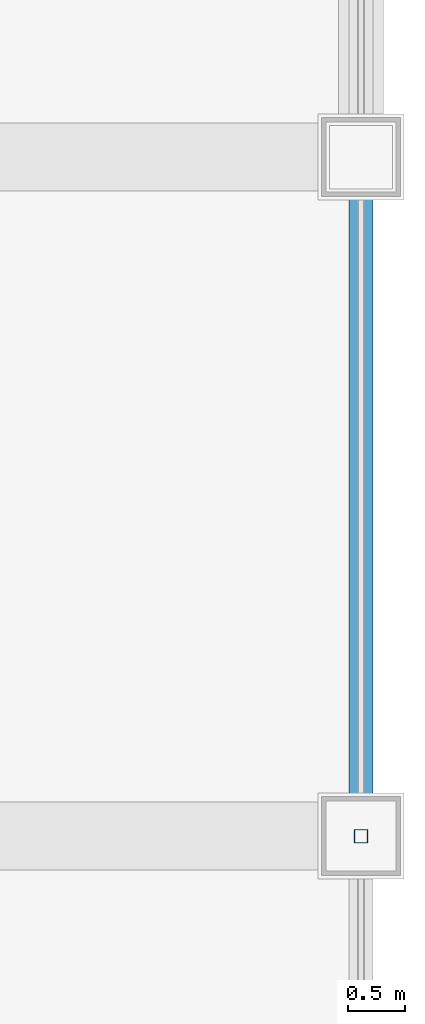
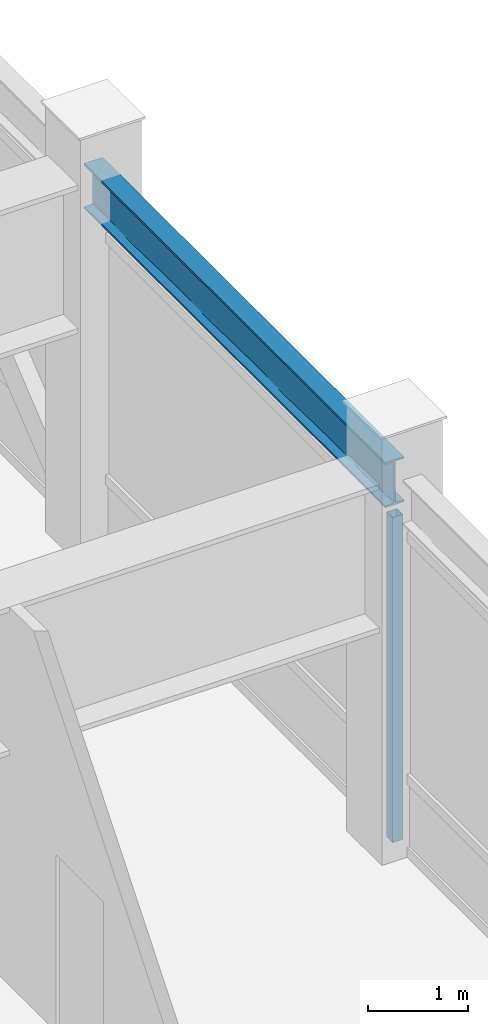
# One storey, part 12 of 29: 1 beam, 1 member, 1 element without a shape of its own.
"""IFC4 building model written with IfcOpenShell, lengths in metres."""

from ifc_helpers import new_model, si_unit, direction, frame, origin, origin_2d, place, context, subcontext, project, spatial, hollow_rectangle, i_section, extrude, source, transform, mapped, material, material_profile, profile_set, type_object, element, aggregate, save


model = new_model("IFC4")

# Units and contexts
model_context = context("Model", 3, precision=1e-05, world=origin(), true_north=direction((0.0, 1.0)))
body_context = subcontext(model_context, "Body", "Model", "MODEL_VIEW")
ifc_project = project(units=[si_unit("LENGTHUNIT", "METRE"), si_unit("AREAUNIT", "SQUARE_METRE"), si_unit("VOLUMEUNIT", "CUBIC_METRE"), si_unit("PLANEANGLEUNIT", "RADIAN"), si_unit("MASSUNIT", "GRAM", prefix="KILO")], contexts=[model_context])

# Site, building, storey
site_placement = place(None, origin())
site = spatial("IfcSite", under=ifc_project, at=site_placement, CompositionType="ELEMENT")
building_placement = place(site_placement, origin())
building = spatial("IfcBuilding", under=site, at=building_placement, Name="Khorayat Bourse Tower", CompositionType="ELEMENT")
storey_placement = place(building_placement, frame((0.0, 0.0, 370.300048828125)))
storey = spatial("IfcBuildingStorey", under=building, at=storey_placement, Name="L88", CompositionType="ELEMENT", Elevation=370.300048828125)

# Beam
ifc_material_1 = material(Name="Steel ASTM A992 Grade 50", Category="steel")
ifc_material_profile_1 = material_profile(ifc_material_1, i_section(OverallWidth=0.214111328125, OverallDepth=0.549072265625, WebThickness=0.0146484375, FlangeThickness=0.023681640625, FilletRadius=0.013916015625, at=origin_2d()), Name="W530X138")
ifc_profile_set_1 = profile_set([ifc_material_profile_1], Name="Steel ASTM A992 Grade 50")
beam_type = type_object("IfcBeamType", Name="BM-SPAN-530", PredefinedType="SPANDREL", material=ifc_profile_set_1)
shared_shape_1 = source(origin(), body_context, "Body", "SweptSolid", [
    extrude(i_section(OverallWidth=0.214111328125, OverallDepth=0.549072265625, WebThickness=0.0146484375, FlangeThickness=0.023681640625, FilletRadius=0.013916015625, at=origin_2d()), origin(), (0.0, 0.0, 1.0), 6.0),
])
beam_placement = place(storey_placement, frame((26.0, 0.0, 4.325439453125), z_axis=(0.0, 1.0, 0.0), x_axis=(-1.0, 0.0, 0.0)))
element("IfcBeam", 1, at=beam_placement, inside=storey, type_object=beam_type, Name="L88 BM-SPAN-530 BM-L88-SPN-035", PredefinedType="SPANDREL", context=body_context, shape_type="MappedRepresentation", body=[
    mapped(shared_shape_1, transform((0.0, 0.0, 0.0), scale=1.0)),
])

# Curtain wall, member
ifc_material_2 = material(Name="Aluminium EN AW-6063 T6", Category="aluminium")
curtain_wall_type = type_object("IfcCurtainWallType", Name="CW-SYS-04", PredefinedType="NOTDEFINED", material=ifc_material_2)
curtain_wall_placement = place(storey_placement, origin())
curtain_wall = element("IfcCurtainWall", 2, at=curtain_wall_placement, inside=storey, type_object=curtain_wall_type, Name="L88 Curtain Wall CW-L88-E1", PredefinedType="NOTDEFINED")
ifc_material_profile_2 = material_profile(ifc_material_2, hollow_rectangle(XDim=0.1201171875, YDim=0.1201171875, WallThickness=0.0048828125, at=origin_2d()), Name="ALU 120x120x5")
ifc_profile_set_2 = profile_set([ifc_material_profile_2], Name="Aluminium EN AW-6063 T6")
member_type = type_object("IfcMemberType", Name="CWM-VERT-120", PredefinedType="MULLION", material=ifc_profile_set_2)
shared_shape_2 = source(origin(), body_context, "Body", "SweptSolid", [
    extrude(hollow_rectangle(XDim=0.1201171875, YDim=0.1201171875, WallThickness=0.0048828125, at=origin_2d()), origin(), (0.0, 0.0, 1.0), 3.949951171875),
])
member_placement = place(storey_placement, frame((26.0, 0.0, 0.0), z_axis=(0.0, 0.0, 1.0), x_axis=(-1.0, 0.0, 0.0)))
member = element("IfcMember", 3, at=member_placement, type_object=member_type, Name="CW-L88-E1 Vertical Mullion 2", PredefinedType="MULLION", context=body_context, shape_type="MappedRepresentation", body=[
    mapped(shared_shape_2, transform((0.0, 0.0, 0.0), scale=1.0)),
])
aggregate(curtain_wall, [member])

save(model, "model.ifc")
